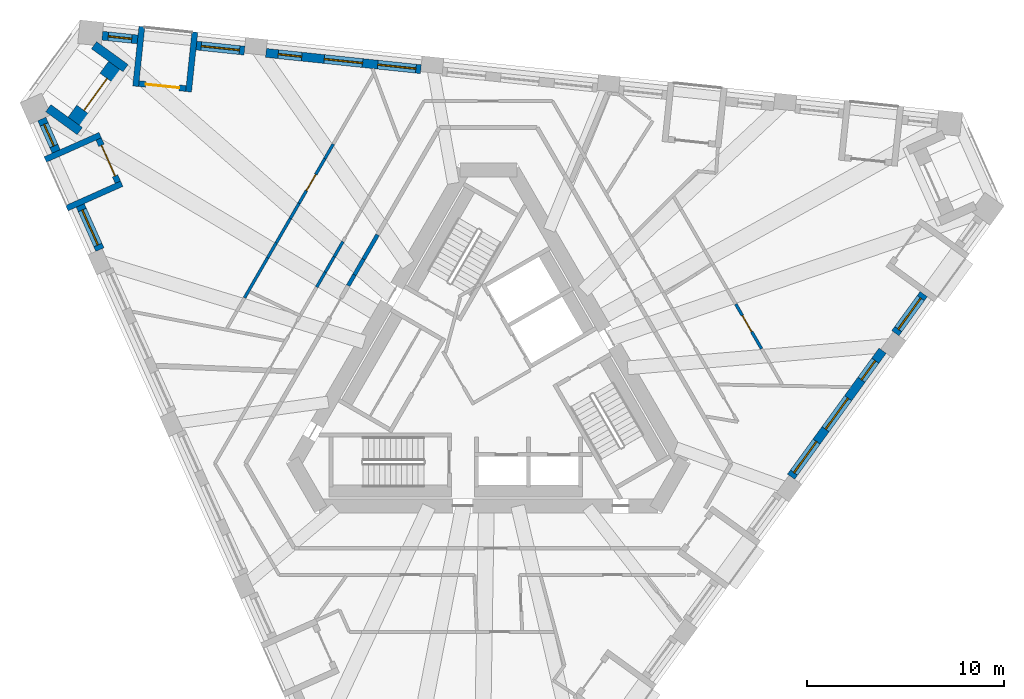
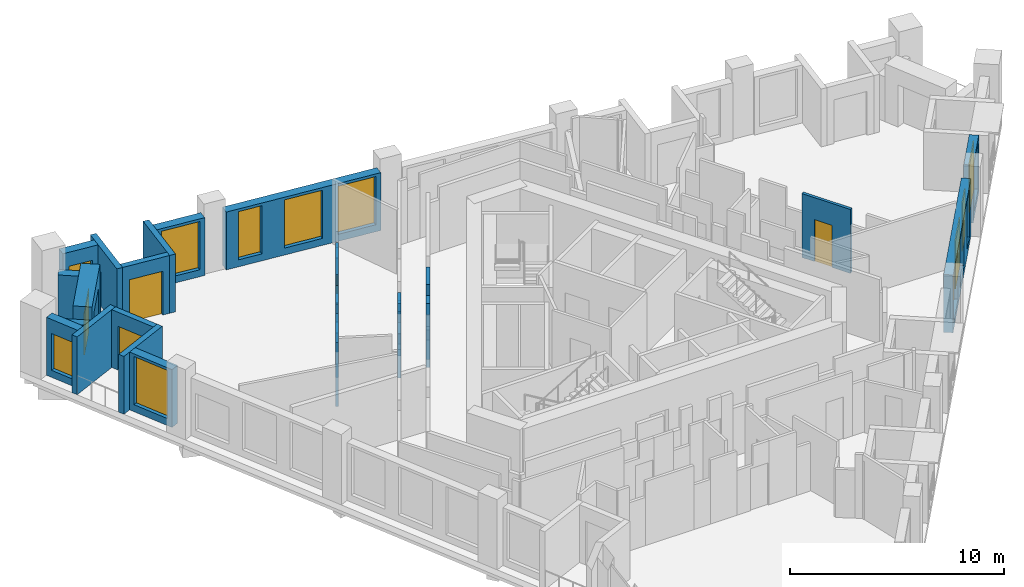
# One storey, part 6 of 11: 29 walls, 11 windows, 5 doors, 16 openings.
"""IFC4 building model written with IfcOpenShell, lengths in metres."""

from ifc_helpers import new_model, si_unit, direction, frame, frame_2d, origin, place, context, subcontext, project, spatial, rectangle, extrude, material, layer, layer_set, type_object, element, fill, save


model = new_model("IFC4")

# Units and contexts
model_context = context("Model", 3, precision=1e-05, world=origin(), true_north=direction((0.0, 1.0)))
body_context = subcontext(model_context, "Body", "Model", "MODEL_VIEW")
ifc_project = project(units=[si_unit("LENGTHUNIT", "METRE"), si_unit("AREAUNIT", "SQUARE_METRE"), si_unit("VOLUMEUNIT", "CUBIC_METRE"), si_unit("PLANEANGLEUNIT", "RADIAN"), si_unit("MASSUNIT", "GRAM", prefix="KILO")], contexts=[model_context])

# Site, building, storey
site_placement = place(None, origin())
site = spatial("IfcSite", under=ifc_project, at=site_placement, CompositionType="ELEMENT")
building_placement = place(site_placement, origin())
building = spatial("IfcBuilding", under=site, at=building_placement, Name="Tramontana Tower", CompositionType="ELEMENT")
storey_placement = place(building_placement, frame((0.0, 0.0, 265.199951171875)))
storey = spatial("IfcBuildingStorey", under=building, at=storey_placement, Name="L62", CompositionType="ELEMENT", Elevation=265.199951171875)

# Walls
ifc_material_1 = material(Name="Blockwork", Category="masonry")
ifc_layer_1 = layer(ifc_material_1, 0.199951171875)
ifc_layer_set_1 = layer_set([ifc_layer_1], Name="ENTRY WALL 200")
wall_type_1 = type_object("IfcWallType", Name="ENTRY WALL 200", PredefinedType="SOLIDWALL", material=ifc_layer_set_1)
wall_1_placement = place(storey_placement, frame((-7.11181640625, 4.78173828125, 0.0), z_axis=(0.0, 0.0, 1.0), x_axis=(0.499956208541, 0.866050685319, 0.0)))
element("IfcWall", 1, at=wall_1_placement, inside=storey, type_object=wall_type_1, Name="Wall v62-ew3-6", PredefinedType="SOLIDWALL", context=body_context, shape_type="SweptSolid", body=[
    extrude(rectangle(XDim=0.6328125, YDim=0.199951171875, at=frame_2d((0.31640625, 0.0))), origin(), (0.0, 0.0, 1.0), 3.650146484375),
])
wall_2_placement = place(storey_placement, frame((-6.79541015625, 5.329833984375, 0.0), z_axis=(0.0, 0.0, 1.0), x_axis=(0.499975954304, 0.866039286129, 0.0)))
element("IfcWall", 2, at=wall_2_placement, inside=storey, type_object=wall_type_1, Name="Wall v62-ew3-7", PredefinedType="SOLIDWALL", context=body_context, shape_type="SweptSolid", body=[
    extrude(rectangle(XDim=0.9169921875, YDim=0.199951171875, at=frame_2d((0.45849609375, 0.0))), origin(), (0.0, 0.0, 1.0), 2.550048828125),
])
wall_3_placement = place(storey_placement, frame((-6.3369140625, 6.1240234375, 0.0), z_axis=(0.0, 0.0, 1.0), x_axis=(0.499904796234, 0.866080362727, 0.0)))
element("IfcWall", 3, at=wall_3_placement, inside=storey, type_object=wall_type_1, Name="Wall v62-ew3-8", PredefinedType="SOLIDWALL", context=body_context, shape_type="SweptSolid", body=[
    extrude(rectangle(XDim=1.429443359375, YDim=0.199951171875, at=frame_2d((0.71484375, 0.0))), origin(), (0.0, 0.0, 1.0), 3.650146484375),
])

# Wall, opening, window
ifc_material_2 = material(Name="Precast concrete 60 MPa", Category="concrete")
ifc_layer_2 = layer(ifc_material_2, 0.449951171875)
ifc_layer_set_2 = layer_set([ifc_layer_2], Name="Precast concrete 60 MPa, 450 mm")
wall_type_2 = type_object("IfcWallType", Name="EW1 Stone-faced precast wall 450", PredefinedType="SOLIDWALL", material=ifc_layer_set_2)
wall_4_placement = place(storey_placement, frame((-22.67041015625, 13.240478515625, 0.0), z_axis=(0.0, 0.0, 1.0), x_axis=(0.406779346191, -0.913526443795, 0.0)))
wall_4 = element("IfcWall", 4, at=wall_4_placement, inside=storey, type_object=wall_type_2, Name="External wall L62 face 0 bay 1", PredefinedType="SOLIDWALL", context=body_context, shape_type="SweptSolid", body=[
    extrude(rectangle(XDim=1.80224609375, YDim=0.449951171875, at=frame_2d((0.901123046875, 0.0))), origin(), (0.0, 0.0, 1.0), 3.300048828125),
])
opening_1_placement = place(wall_4_placement, frame((0.301025390625, 0.0, 0.39990234375)))
opening_1 = element("IfcOpeningElement", 5, at=opening_1_placement, cuts=wall_4, Name="Opening N3L", PredefinedType="OPENING", context=body_context, shape_type="SweptSolid", body=[
    extrude(rectangle(XDim=1.199951171875, YDim=2.10009765625, at=frame_2d((0.60009765625, 1.050048828125))), frame((0.0, 0.23486328125, 0.0), z_axis=(0.0, -1.0, 0.0), x_axis=(1.0, 0.0, 0.0)), (0.0, 0.0, 1.0), 0.469970703125),
])
ifc_material_3 = material(Name="Aluminum frame, double glazing unit", Category="aluminium")
window_type_1 = type_object("IfcWindowType", Name="N3L Window 1.2 x 2.1", PartitioningType="SINGLE_PANEL", PredefinedType="WINDOW", material=ifc_material_3)
window_1_placement = place(opening_1_placement, origin())
window_1 = element("IfcWindow", 6, at=window_1_placement, inside=storey, type_object=window_type_1, Name="Window N3L L62 face 0 module 1", OverallHeight=2.10009765625, OverallWidth=1.199951171875, PartitioningType="SINGLE_PANEL", PredefinedType="WINDOW", context=body_context, shape_type="SweptSolid", body=[
    extrude(rectangle(XDim=1.199951171875, YDim=2.10009765625, at=frame_2d((0.60009765625, 1.050048828125))), frame((0.0, 0.030029296875, 0.0), z_axis=(0.0, -1.0, 0.0), x_axis=(1.0, 0.0, 0.0)), (0.0, 0.0, 1.0), 0.06005859375),
])
fill(opening_1, window_1)

wall_5_placement = place(storey_placement, frame((-20.71630859375, 8.851318359375, 0.0), z_axis=(0.0, 0.0, 1.0), x_axis=(0.406821962592, -0.913507466172, 0.0)))
wall_5 = element("IfcWall", 7, at=wall_5_placement, inside=storey, type_object=wall_type_2, Name="External wall L62 face 0 bay 1", PredefinedType="SOLIDWALL", context=body_context, shape_type="SweptSolid", body=[
    extrude(rectangle(XDim=2.4521484375, YDim=0.449951171875, at=frame_2d((1.22607421875, 0.0))), origin(), (0.0, 0.0, 1.0), 3.300048828125),
])
opening_2_placement = place(wall_5_placement, frame((0.251220703125, 0.0, 0.39990234375)))
opening_2 = element("IfcOpeningElement", 8, at=opening_2_placement, cuts=wall_5, Name="Opening M3", PredefinedType="OPENING", context=body_context, shape_type="SweptSolid", body=[
    extrude(rectangle(XDim=1.949951171875, YDim=2.75, at=frame_2d((0.97509765625, 1.375))), frame((0.0, 0.23486328125, 0.0), z_axis=(0.0, -1.0, 0.0), x_axis=(1.0, 0.0, 0.0)), (0.0, 0.0, 1.0), 0.469970703125),
])
ifc_material_4 = material(Name="Aluminum frame, double glazing unit", Category="aluminium")
window_type_2 = type_object("IfcWindowType", Name="M3 Window 1.95 x 2.75", PartitioningType="SINGLE_PANEL", PredefinedType="WINDOW", material=ifc_material_4)
window_2_placement = place(opening_2_placement, origin())
window_2 = element("IfcWindow", 9, at=window_2_placement, inside=storey, type_object=window_type_2, Name="Window M3 L62 face 0 module 3", OverallHeight=2.75, OverallWidth=1.949951171875, PartitioningType="SINGLE_PANEL", PredefinedType="WINDOW", context=body_context, shape_type="SweptSolid", body=[
    extrude(rectangle(XDim=1.949951171875, YDim=2.75, at=frame_2d((0.97509765625, 1.375))), frame((0.0, 0.030029296875, 0.0), z_axis=(0.0, -1.0, 0.0), x_axis=(1.0, 0.0, 0.0)), (0.0, 0.0, 1.0), 0.06005859375),
])
fill(opening_2, window_2)

# Wall, openings, windows
wall_6_placement = place(storey_placement, frame((15.368408203125, -4.919677734375, 0.0), z_axis=(0.0, 0.0, 1.0), x_axis=(0.587782407267, 0.809019061399, 0.0)))
wall_6 = element("IfcWall", 10, at=wall_6_placement, inside=storey, type_object=wall_type_2, Name="External wall L62 face 1 bay 4", PredefinedType="SOLIDWALL", context=body_context, shape_type="SweptSolid", body=[
    extrude(rectangle(XDim=7.90673828125, YDim=0.449951171875, at=frame_2d((3.953369140625, 0.0))), origin(), (0.0, 0.0, 1.0), 3.300048828125),
])
opening_3_placement = place(wall_6_placement, frame((0.251220703125, 0.0, 0.39990234375)))
opening_3 = element("IfcOpeningElement", 11, at=opening_3_placement, cuts=wall_6, Name="Opening M3", PredefinedType="OPENING", context=body_context, shape_type="SweptSolid", body=[
    extrude(rectangle(XDim=1.949951171875, YDim=2.75, at=frame_2d((0.97509765625, 1.375))), frame((0.0, 0.23486328125, 0.0), z_axis=(0.0, -1.0, 0.0), x_axis=(1.0, 0.0, 0.0)), (0.0, 0.0, 1.0), 0.469970703125),
])
opening_4_placement = place(wall_6_placement, frame((2.978271484375, 0.0, 0.39990234375)))
opening_4 = element("IfcOpeningElement", 12, at=opening_4_placement, cuts=wall_6, Name="Opening M3", PredefinedType="OPENING", context=body_context, shape_type="SweptSolid", body=[
    extrude(rectangle(XDim=1.949951171875, YDim=2.75, at=frame_2d((0.97509765625, 1.375))), frame((0.0, 0.23486328125, 0.0), z_axis=(0.0, -1.0, 0.0), x_axis=(1.0, 0.0, 0.0)), (0.0, 0.0, 1.0), 0.469970703125),
])
opening_5_placement = place(wall_6_placement, frame((6.08056640625, 0.0, 0.39990234375)))
opening_5 = element("IfcOpeningElement", 13, at=opening_5_placement, cuts=wall_6, Name="Opening N3", PredefinedType="OPENING", context=body_context, shape_type="SweptSolid", body=[
    extrude(rectangle(XDim=1.199951171875, YDim=2.75, at=frame_2d((0.60009765625, 1.375))), frame((0.0, 0.23486328125, 0.0), z_axis=(0.0, -1.0, 0.0), x_axis=(1.0, 0.0, 0.0)), (0.0, 0.0, 1.0), 0.469970703125),
])
window_3_placement = place(opening_3_placement, origin())
window_3 = element("IfcWindow", 14, at=window_3_placement, inside=storey, type_object=window_type_2, Name="Window M3 L62 face 1 module 10", OverallHeight=2.75, OverallWidth=1.949951171875, PartitioningType="SINGLE_PANEL", PredefinedType="WINDOW", context=body_context, shape_type="SweptSolid", body=[
    extrude(rectangle(XDim=1.949951171875, YDim=2.75, at=frame_2d((0.97509765625, 1.375))), frame((0.0, 0.030029296875, 0.0), z_axis=(0.0, -1.0, 0.0), x_axis=(1.0, 0.0, 0.0)), (0.0, 0.0, 1.0), 0.06005859375),
])
fill(opening_3, window_3)
window_4_placement = place(opening_4_placement, origin())
window_4 = element("IfcWindow", 15, at=window_4_placement, inside=storey, type_object=window_type_2, Name="Window M3 L62 face 1 module 11", OverallHeight=2.75, OverallWidth=1.949951171875, PartitioningType="SINGLE_PANEL", PredefinedType="WINDOW", context=body_context, shape_type="SweptSolid", body=[
    extrude(rectangle(XDim=1.949951171875, YDim=2.75, at=frame_2d((0.97509765625, 1.375))), frame((0.0, 0.030029296875, 0.0), z_axis=(0.0, -1.0, 0.0), x_axis=(1.0, 0.0, 0.0)), (0.0, 0.0, 1.0), 0.06005859375),
])
fill(opening_4, window_4)
ifc_material_5 = material(Name="Aluminum frame, double glazing unit", Category="aluminium")
window_type_3 = type_object("IfcWindowType", Name="N3 Window 1.2 x 2.75", PartitioningType="SINGLE_PANEL", PredefinedType="WINDOW", material=ifc_material_5)
window_5_placement = place(opening_5_placement, origin())
window_5 = element("IfcWindow", 16, at=window_5_placement, inside=storey, type_object=window_type_3, Name="Window N3 L62 face 1 module 12", OverallHeight=2.75, OverallWidth=1.199951171875, PartitioningType="SINGLE_PANEL", PredefinedType="WINDOW", context=body_context, shape_type="SweptSolid", body=[
    extrude(rectangle(XDim=1.199951171875, YDim=2.75, at=frame_2d((0.60009765625, 1.375))), frame((0.0, 0.030029296875, 0.0), z_axis=(0.0, -1.0, 0.0), x_axis=(1.0, 0.0, 0.0)), (0.0, 0.0, 1.0), 0.06005859375),
])
fill(opening_5, window_5)

# Wall, opening, window
wall_7_placement = place(storey_placement, frame((20.662353515625, 2.366943359375, 0.0), z_axis=(0.0, 0.0, 1.0), x_axis=(0.587792773076, 0.809011530152, 0.0)))
wall_7 = element("IfcWall", 17, at=wall_7_placement, inside=storey, type_object=wall_type_2, Name="External wall L62 face 1 bay 5", PredefinedType="SOLIDWALL", context=body_context, shape_type="SweptSolid", body=[
    extrude(rectangle(XDim=2.4521484375, YDim=0.449951171875, at=frame_2d((1.22607421875, 0.0))), origin(), (0.0, 0.0, 1.0), 3.300048828125),
])
opening_6_placement = place(wall_7_placement, frame((0.251220703125, 0.0, 0.39990234375)))
opening_6 = element("IfcOpeningElement", 18, at=opening_6_placement, cuts=wall_7, Name="Opening M3", PredefinedType="OPENING", context=body_context, shape_type="SweptSolid", body=[
    extrude(rectangle(XDim=1.949951171875, YDim=2.75, at=frame_2d((0.97509765625, 1.375))), frame((0.0, 0.23486328125, 0.0), z_axis=(0.0, -1.0, 0.0), x_axis=(1.0, 0.0, 0.0)), (0.0, 0.0, 1.0), 0.469970703125),
])
window_6_placement = place(opening_6_placement, origin())
window_6 = element("IfcWindow", 19, at=window_6_placement, inside=storey, type_object=window_type_2, Name="Window M3 L62 face 1 module 13", OverallHeight=2.75, OverallWidth=1.949951171875, PartitioningType="SINGLE_PANEL", PredefinedType="WINDOW", context=body_context, shape_type="SweptSolid", body=[
    extrude(rectangle(XDim=1.949951171875, YDim=2.75, at=frame_2d((0.97509765625, 1.375))), frame((0.0, 0.030029296875, 0.0), z_axis=(0.0, -1.0, 0.0), x_axis=(1.0, 0.0, 0.0)), (0.0, 0.0, 1.0), 0.06005859375),
])
fill(opening_6, window_6)

# Wall, openings, windows
wall_8_placement = place(storey_placement, frame((-3.423828125, 15.769287109375, 0.0), z_axis=(0.0, 0.0, 1.0), x_axis=(-0.994522528385, 0.104522440343, 0.0)))
wall_8 = element("IfcWall", 20, at=wall_8_placement, inside=storey, type_object=wall_type_2, Name="External wall L62 face 2 bay 4", PredefinedType="SOLIDWALL", context=body_context, shape_type="SweptSolid", body=[
    extrude(rectangle(XDim=7.906494140625, YDim=0.449951171875, at=frame_2d((3.953125, 0.0))), origin(), (0.0, 0.0, 1.0), 3.300048828125),
])
opening_7_placement = place(wall_8_placement, frame((0.251220703125, 0.0, 0.39990234375)))
opening_7 = element("IfcOpeningElement", 21, at=opening_7_placement, cuts=wall_8, Name="Opening M3", PredefinedType="OPENING", context=body_context, shape_type="SweptSolid", body=[
    extrude(rectangle(XDim=1.949951171875, YDim=2.75, at=frame_2d((0.97509765625, 1.375))), frame((0.0, 0.23486328125, 0.0), z_axis=(0.0, -1.0, 0.0), x_axis=(1.0, 0.0, 0.0)), (0.0, 0.0, 1.0), 0.469970703125),
])
opening_8_placement = place(wall_8_placement, frame((2.978271484375, 0.0, 0.39990234375)))
opening_8 = element("IfcOpeningElement", 22, at=opening_8_placement, cuts=wall_8, Name="Opening M3", PredefinedType="OPENING", context=body_context, shape_type="SweptSolid", body=[
    extrude(rectangle(XDim=1.949951171875, YDim=2.75, at=frame_2d((0.97509765625, 1.375))), frame((0.0, 0.23486328125, 0.0), z_axis=(0.0, -1.0, 0.0), x_axis=(1.0, 0.0, 0.0)), (0.0, 0.0, 1.0), 0.469970703125),
])
opening_9_placement = place(wall_8_placement, frame((6.08056640625, 0.0, 0.39990234375)))
opening_9 = element("IfcOpeningElement", 23, at=opening_9_placement, cuts=wall_8, Name="Opening N3", PredefinedType="OPENING", context=body_context, shape_type="SweptSolid", body=[
    extrude(rectangle(XDim=1.199951171875, YDim=2.75, at=frame_2d((0.60009765625, 1.375))), frame((0.0, 0.23486328125, 0.0), z_axis=(0.0, -1.0, 0.0), x_axis=(1.0, 0.0, 0.0)), (0.0, 0.0, 1.0), 0.469970703125),
])
window_7_placement = place(opening_7_placement, origin())
window_7 = element("IfcWindow", 24, at=window_7_placement, inside=storey, type_object=window_type_2, Name="Window M3 L62 face 2 module 10", OverallHeight=2.75, OverallWidth=1.949951171875, PartitioningType="SINGLE_PANEL", PredefinedType="WINDOW", context=body_context, shape_type="SweptSolid", body=[
    extrude(rectangle(XDim=1.949951171875, YDim=2.75, at=frame_2d((0.97509765625, 1.375))), frame((0.0, 0.030029296875, 0.0), z_axis=(0.0, -1.0, 0.0), x_axis=(1.0, 0.0, 0.0)), (0.0, 0.0, 1.0), 0.06005859375),
])
fill(opening_7, window_7)
window_8_placement = place(opening_8_placement, origin())
window_8 = element("IfcWindow", 25, at=window_8_placement, inside=storey, type_object=window_type_2, Name="Window M3 L62 face 2 module 11", OverallHeight=2.75, OverallWidth=1.949951171875, PartitioningType="SINGLE_PANEL", PredefinedType="WINDOW", context=body_context, shape_type="SweptSolid", body=[
    extrude(rectangle(XDim=1.949951171875, YDim=2.75, at=frame_2d((0.97509765625, 1.375))), frame((0.0, 0.030029296875, 0.0), z_axis=(0.0, -1.0, 0.0), x_axis=(1.0, 0.0, 0.0)), (0.0, 0.0, 1.0), 0.06005859375),
])
fill(opening_8, window_8)
window_9_placement = place(opening_9_placement, origin())
window_9 = element("IfcWindow", 26, at=window_9_placement, inside=storey, type_object=window_type_3, Name="Window N3 L62 face 2 module 12", OverallHeight=2.75, OverallWidth=1.199951171875, PartitioningType="SINGLE_PANEL", PredefinedType="WINDOW", context=body_context, shape_type="SweptSolid", body=[
    extrude(rectangle(XDim=1.199951171875, YDim=2.75, at=frame_2d((0.60009765625, 1.375))), frame((0.0, 0.030029296875, 0.0), z_axis=(0.0, -1.0, 0.0), x_axis=(1.0, 0.0, 0.0)), (0.0, 0.0, 1.0), 0.06005859375),
])
fill(opening_9, window_9)

# Wall, opening, window
wall_9_placement = place(storey_placement, frame((-12.381103515625, 16.710693359375, 0.0), z_axis=(0.0, 0.0, 1.0), x_axis=(-0.994520717537, 0.104539668977, 0.0)))
wall_9 = element("IfcWall", 27, at=wall_9_placement, inside=storey, type_object=wall_type_2, Name="External wall L62 face 2 bay 5", PredefinedType="SOLIDWALL", context=body_context, shape_type="SweptSolid", body=[
    extrude(rectangle(XDim=2.4521484375, YDim=0.449951171875, at=frame_2d((1.22607421875, 0.0))), origin(), (0.0, 0.0, 1.0), 3.300048828125),
])
opening_10_placement = place(wall_9_placement, frame((0.251220703125, 0.0, 0.39990234375)))
opening_10 = element("IfcOpeningElement", 28, at=opening_10_placement, cuts=wall_9, Name="Opening M3", PredefinedType="OPENING", context=body_context, shape_type="SweptSolid", body=[
    extrude(rectangle(XDim=1.949951171875, YDim=2.75, at=frame_2d((0.97509765625, 1.375))), frame((0.0, 0.23486328125, 0.0), z_axis=(0.0, -1.0, 0.0), x_axis=(1.0, 0.0, 0.0)), (0.0, 0.0, 1.0), 0.469970703125),
])
window_10_placement = place(opening_10_placement, origin())
window_10 = element("IfcWindow", 29, at=window_10_placement, inside=storey, type_object=window_type_2, Name="Window M3 L62 face 2 module 13", OverallHeight=2.75, OverallWidth=1.949951171875, PartitioningType="SINGLE_PANEL", PredefinedType="WINDOW", context=body_context, shape_type="SweptSolid", body=[
    extrude(rectangle(XDim=1.949951171875, YDim=2.75, at=frame_2d((0.97509765625, 1.375))), frame((0.0, 0.030029296875, 0.0), z_axis=(0.0, -1.0, 0.0), x_axis=(1.0, 0.0, 0.0)), (0.0, 0.0, 1.0), 0.06005859375),
])
fill(opening_10, window_10)

wall_10_placement = place(storey_placement, frame((-17.8056640625, 17.28076171875, 0.0), z_axis=(0.0, 0.0, 1.0), x_axis=(-0.994515840559, 0.104586054885, 0.0)))
wall_10 = element("IfcWall", 30, at=wall_10_placement, inside=storey, type_object=wall_type_2, Name="External wall L62 face 2 bay 5", PredefinedType="SOLIDWALL", context=body_context, shape_type="SweptSolid", body=[
    extrude(rectangle(XDim=1.802001953125, YDim=0.449951171875, at=frame_2d((0.90087890625, 0.0))), origin(), (0.0, 0.0, 1.0), 3.300048828125),
])
opening_11_placement = place(wall_10_placement, frame((0.301025390625, 0.0, 0.39990234375)))
opening_11 = element("IfcOpeningElement", 31, at=opening_11_placement, cuts=wall_10, Name="Opening N3L", PredefinedType="OPENING", context=body_context, shape_type="SweptSolid", body=[
    extrude(rectangle(XDim=1.199951171875, YDim=2.10009765625, at=frame_2d((0.60009765625, 1.050048828125))), frame((0.0, 0.23486328125, 0.0), z_axis=(0.0, -1.0, 0.0), x_axis=(1.0, 0.0, 0.0)), (0.0, 0.0, 1.0), 0.469970703125),
])
window_11_placement = place(opening_11_placement, origin())
window_11 = element("IfcWindow", 32, at=window_11_placement, inside=storey, type_object=window_type_1, Name="Window N3L L62 face 2 module 15", OverallHeight=2.10009765625, OverallWidth=1.199951171875, PartitioningType="SINGLE_PANEL", PredefinedType="WINDOW", context=body_context, shape_type="SweptSolid", body=[
    extrude(rectangle(XDim=1.199951171875, YDim=2.10009765625, at=frame_2d((0.60009765625, 1.050048828125))), frame((0.0, 0.030029296875, 0.0), z_axis=(0.0, -1.0, 0.0), x_axis=(1.0, 0.0, 0.0)), (0.0, 0.0, 1.0), 0.06005859375),
])
fill(opening_11, window_11)

# Walls
for number, where, z_axis, x_axis, name in (
    (33, (-22.34033203125, 13.7900390625, 0.0), (0.0, 0.0, 1.0), (0.809040012586, -0.587753569138, 0.0), "Corner loggia side wall L62 K60l"),
    (34, (-20.0185546875, 16.985595703125, 0.0), (0.0, 0.0, 1.0), (0.809040012586, -0.587753569138, 0.0), "Corner loggia side wall L62 K60r"),
):
    element("IfcWall", number, at=place(storey_placement, frame(where, z_axis=z_axis, x_axis=x_axis)), inside=storey, type_object=wall_type_2, Name=name, PredefinedType="SOLIDWALL", context=body_context, shape_type="SweptSolid", body=[
        extrude(rectangle(XDim=1.979248046875, YDim=0.449951171875, at=frame_2d((0.98974609375, 0.0))), origin(), (0.0, 0.0, 1.0), 2.550048828125),
    ])

# Wall, opening, door
ifc_material_6 = material(Name="Precast concrete 60 MPa", Category="concrete")
ifc_layer_3 = layer(ifc_material_6, 0.89990234375)
ifc_layer_set_3 = layer_set([ifc_layer_3], Name="EW2 Stone-faced corner loggia wall 900")
wall_type_3 = type_object("IfcWallType", Name="EW2 Stone-faced corner loggia wall 900", PredefinedType="SOLIDWALL", material=ifc_layer_set_3)
wall_11_placement = place(storey_placement, frame((-20.970947265625, 13.0732421875, 0.0), z_axis=(0.0, 0.0, 1.0), x_axis=(0.587810807352, 0.808998426921, 0.0)))
wall_11 = element("IfcWall", 35, at=wall_11_placement, inside=storey, type_object=wall_type_3, Name="Corner loggia wall L62 K60", PredefinedType="SOLIDWALL", context=body_context, shape_type="SweptSolid", body=[
    extrude(rectangle(XDim=3.5, YDim=0.89990234375, at=frame_2d((1.75, 0.0))), origin(), (0.0, 0.0, 1.0), 3.300048828125),
])
opening_12_placement = place(wall_11_placement, frame((0.75, 0.0, 0.0)))
opening_12 = element("IfcOpeningElement", 36, at=opening_12_placement, cuts=wall_11, Name="Opening BD-60C", PredefinedType="OPENING", context=body_context, shape_type="SweptSolid", body=[
    extrude(rectangle(XDim=2.0, YDim=2.39990234375, at=frame_2d((1.0, 1.199951171875))), frame((0.0, 0.4599609375, 0.0), z_axis=(0.0, -1.0, 0.0), x_axis=(1.0, 0.0, 0.0)), (0.0, 0.0, 1.0), 0.919921875),
])
ifc_material_7 = material(Name="Aluminum frame, double glazing unit", Category="aluminium")
door_type_1 = type_object("IfcDoorType", Name="BC1 Sliding door 2 x 2.4", OperationType="SLIDING_TO_LEFT", PredefinedType="DOOR", material=ifc_material_7)
door_1_placement = place(opening_12_placement, origin())
door_1 = element("IfcDoor", 37, at=door_1_placement, inside=storey, type_object=door_type_1, Name="Corner loggia door L62 K60", OperationType="SLIDING_TO_LEFT", OverallHeight=2.39990234375, OverallWidth=2.0, PredefinedType="DOOR", context=body_context, shape_type="SweptSolid", body=[
    extrude(rectangle(XDim=2.0, YDim=2.39990234375, at=frame_2d((1.0, 1.199951171875))), frame((0.0, 0.02490234375, 0.0), z_axis=(0.0, -1.0, 0.0), x_axis=(1.0, 0.0, 0.0)), (0.0, 0.0, 1.0), 0.050048828125),
])
fill(opening_12, door_1)

ifc_material_8 = material(Name="Precast concrete 60 MPa", Category="concrete")
ifc_layer_4 = layer(ifc_material_8, 0.300048828125)
ifc_layer_set_4 = layer_set([ifc_layer_4], Name="LW1 Stone-faced loggia wall 300")
wall_type_4 = type_object("IfcWallType", Name="LW1 Stone-faced loggia wall 300", PredefinedType="SOLIDWALL", material=ifc_layer_set_4)
wall_12_placement = place(storey_placement, frame((-19.78271484375, 12.22509765625, 0.0), z_axis=(0.0, 0.0, 1.0), x_axis=(0.406723017018, -0.913551524232, 0.0)))
wall_12 = element("IfcWall", 38, at=wall_12_placement, inside=storey, type_object=wall_type_4, Name="Loggia wall L62 G6S0.1", PredefinedType="SOLIDWALL", context=body_context, shape_type="SweptSolid", body=[
    extrude(rectangle(XDim=2.40234375, YDim=0.300048828125, at=frame_2d((1.201171875, 0.0))), origin(), (0.0, 0.0, 1.0), 3.300048828125),
])
opening_13_placement = place(wall_12_placement, frame((0.35107421875, 0.0, 0.0)))
opening_13 = element("IfcOpeningElement", 39, at=opening_13_placement, cuts=wall_12, Name="Opening BD-6S0-01", PredefinedType="OPENING", context=body_context, shape_type="SweptSolid", body=[
    extrude(rectangle(XDim=1.699951171875, YDim=2.5, at=frame_2d((0.85009765625, 1.25))), frame((0.0, 0.159912109375, 0.0), z_axis=(0.0, -1.0, 0.0), x_axis=(1.0, 0.0, 0.0)), (0.0, 0.0, 1.0), 0.320068359375),
])
ifc_material_9 = material(Name="Aluminum frame, double glazing unit", Category="aluminium")
door_type_2 = type_object("IfcDoorType", Name="BD3 Sliding door 1.7 x 2.5", OperationType="SLIDING_TO_LEFT", PredefinedType="DOOR", material=ifc_material_9)
door_2_placement = place(opening_13_placement, origin())
door_2 = element("IfcDoor", 40, at=door_2_placement, inside=storey, type_object=door_type_2, Name="Loggia door L62 G6S0.1", OperationType="SLIDING_TO_LEFT", OverallHeight=2.5, OverallWidth=1.699951171875, PredefinedType="DOOR", context=body_context, shape_type="SweptSolid", body=[
    extrude(rectangle(XDim=1.699951171875, YDim=2.5, at=frame_2d((0.85009765625, 1.25))), frame((0.0, 0.02490234375, 0.0), z_axis=(0.0, -1.0, 0.0), x_axis=(1.0, 0.0, 0.0)), (0.0, 0.0, 1.0), 0.050048828125),
])
fill(opening_13, door_2)

# Walls
wall_13_placement = place(storey_placement, frame((-22.492919921875, 11.1826171875, 0.0), z_axis=(0.0, 0.0, 1.0), x_axis=(0.913557205168, 0.406710256677, 0.0)))
element("IfcWall", 41, at=wall_13_placement, inside=storey, type_object=wall_type_4, Name="Loggia return L62 G6S0.1a", PredefinedType="SOLIDWALL", context=body_context, shape_type="SweptSolid", body=[
    extrude(rectangle(XDim=3.050048828125, YDim=0.300048828125, at=frame_2d((1.52490234375, 0.0))), origin(), (0.0, 0.0, 1.0), 3.300048828125),
])
wall_14_placement = place(storey_placement, frame((-21.393798828125, 8.7138671875, 0.0), z_axis=(0.0, 0.0, 1.0), x_axis=(0.91354396316, 0.406739999721, 0.0)))
element("IfcWall", 42, at=wall_14_placement, inside=storey, type_object=wall_type_4, Name="Loggia return L62 G6S0.1b", PredefinedType="SOLIDWALL", context=body_context, shape_type="SweptSolid", body=[
    extrude(rectangle(XDim=3.0498046875, YDim=0.300048828125, at=frame_2d((1.52490234375, 0.0))), origin(), (0.0, 0.0, 1.0), 3.300048828125),
])

# Wall, opening, door
wall_15_placement = place(storey_placement, frame((-15.350830078125, 14.78564453125, 0.0), z_axis=(0.0, 0.0, 1.0), x_axis=(-0.994526595554, 0.104483734311, 0.0)))
wall_15 = element("IfcWall", 43, at=wall_15_placement, inside=storey, type_object=wall_type_4, Name="Loggia wall L62 G6S2.13", PredefinedType="SOLIDWALL", context=body_context, shape_type="SweptSolid", body=[
    extrude(rectangle(XDim=2.402099609375, YDim=0.300048828125, at=frame_2d((1.201171875, 0.0))), origin(), (0.0, 0.0, 1.0), 3.300048828125),
])
opening_14_placement = place(wall_15_placement, frame((0.35107421875, 0.0, 0.0)))
opening_14 = element("IfcOpeningElement", 44, at=opening_14_placement, cuts=wall_15, Name="Opening BD-6S2-13", PredefinedType="OPENING", context=body_context, shape_type="SweptSolid", body=[
    extrude(rectangle(XDim=1.699951171875, YDim=2.5, at=frame_2d((0.85009765625, 1.25))), frame((0.0, 0.159912109375, 0.0), z_axis=(0.0, -1.0, 0.0), x_axis=(1.0, 0.0, 0.0)), (0.0, 0.0, 1.0), 0.320068359375),
])
door_3_placement = place(opening_14_placement, origin())
door_3 = element("IfcDoor", 45, at=door_3_placement, inside=storey, type_object=door_type_2, Name="Loggia door L62 G6S2.13", OperationType="SLIDING_TO_LEFT", OverallHeight=2.5, OverallWidth=1.699951171875, PredefinedType="DOOR", context=body_context, shape_type="SweptSolid", body=[
    extrude(rectangle(XDim=1.699951171875, YDim=2.5, at=frame_2d((0.85009765625, 1.25))), frame((0.0, 0.02490234375, 0.0), z_axis=(0.0, -1.0, 0.0), x_axis=(1.0, 0.0, 0.0)), (0.0, 0.0, 1.0), 0.050048828125),
])
fill(opening_14, door_3)

# Walls
wall_16_placement = place(storey_placement, frame((-14.8984375, 17.654052734375, 0.0), z_axis=(0.0, 0.0, 1.0), x_axis=(-0.104543108891, -0.994520355942, 0.0)))
element("IfcWall", 46, at=wall_16_placement, inside=storey, type_object=wall_type_4, Name="Loggia return L62 G6S2.13a", PredefinedType="SOLIDWALL", context=body_context, shape_type="SweptSolid", body=[
    extrude(rectangle(XDim=3.0498046875, YDim=0.300048828125, at=frame_2d((1.52490234375, 0.0))), origin(), (0.0, 0.0, 1.0), 3.300048828125),
])
wall_17_placement = place(storey_placement, frame((-17.5859375, 17.9365234375, 0.0), z_axis=(0.0, 0.0, 1.0), x_axis=(-0.104534786906, -0.994521230707, 0.0)))
element("IfcWall", 47, at=wall_17_placement, inside=storey, type_object=wall_type_4, Name="Loggia return L62 G6S2.13b", PredefinedType="SOLIDWALL", context=body_context, shape_type="SweptSolid", body=[
    extrude(rectangle(XDim=3.050048828125, YDim=0.300048828125, at=frame_2d((1.52490234375, 0.0))), origin(), (0.0, 0.0, 1.0), 3.300048828125),
])
ifc_material_10 = material(Name="Gypsum board partition")
ifc_layer_5 = layer(ifc_material_10, 0.14990234375)
ifc_layer_set_5 = layer_set([ifc_layer_5], Name="PARTITION 150")
wall_type_5 = type_object("IfcWallType", Name="PARTITION 150", PredefinedType="PARTITIONING", material=ifc_layer_set_5)
wall_18_placement = place(storey_placement, frame((-8.714111328125, 4.70654296875, 0.0), z_axis=(0.0, 0.0, 1.0), x_axis=(0.499859285417, 0.866106630146, 0.0)))
element("IfcWall", 48, at=wall_18_placement, inside=storey, type_object=wall_type_5, Name="Wall v62-pw00-5", PredefinedType="PARTITIONING", context=body_context, shape_type="SweptSolid", body=[
    extrude(rectangle(XDim=0.875244140625, YDim=0.14990234375, at=frame_2d((0.4375, 0.0))), origin(), (0.0, 0.0, 1.0), 2.550048828125),
])
wall_19_placement = place(storey_placement, frame((-8.276611328125, 5.464599609375, 0.0), z_axis=(0.0, 0.0, 1.0), x_axis=(0.50004290449, 0.866000631449, 0.0)))
element("IfcWall", 49, at=wall_19_placement, inside=storey, type_object=wall_type_5, Name="Wall v62-pw00-6", PredefinedType="PARTITIONING", context=body_context, shape_type="SweptSolid", body=[
    extrude(rectangle(XDim=0.9013671875, YDim=0.14990234375, at=frame_2d((0.45068359375, 0.0))), origin(), (0.0, 0.0, 1.0), 3.650146484375),
])
wall_20_placement = place(storey_placement, frame((-7.825927734375, 6.2451171875, 0.0), z_axis=(0.0, 0.0, 1.0), x_axis=(0.499967368674, 0.86604424267, 0.0)))
element("IfcWall", 50, at=wall_20_placement, inside=storey, type_object=wall_type_5, Name="Wall v62-pw00-7", PredefinedType="PARTITIONING", context=body_context, shape_type="SweptSolid", body=[
    extrude(rectangle(XDim=0.8916015625, YDim=0.14990234375, at=frame_2d((0.44580078125, 0.0))), origin(), (0.0, 0.0, 1.0), 2.550048828125),
])
wall_21_placement = place(storey_placement, frame((-12.376220703125, 4.16357421875, 0.0), z_axis=(0.0, 0.0, 1.0), x_axis=(0.499998569178, 0.866026229868, 0.0)))
element("IfcWall", 51, at=wall_21_placement, inside=storey, type_object=wall_type_5, Name="Wall v62-pw01-2", PredefinedType="PARTITIONING", context=body_context, shape_type="SweptSolid", body=[
    extrude(rectangle(XDim=2.34716796875, YDim=0.14990234375, at=frame_2d((1.173583984375, 0.0))), origin(), (0.0, 0.0, 1.0), 3.650146484375),
])
wall_22_placement = place(storey_placement, frame((-11.20263671875, 6.1962890625, 0.0), z_axis=(0.0, 0.0, 1.0), x_axis=(0.499980071345, 0.866036909293, 0.0)))
element("IfcWall", 52, at=wall_22_placement, inside=storey, type_object=wall_type_5, Name="Wall v62-pw01-3", PredefinedType="PARTITIONING", context=body_context, shape_type="SweptSolid", body=[
    extrude(rectangle(XDim=0.875, YDim=0.14990234375, at=frame_2d((0.4375, 0.0))), origin(), (0.0, 0.0, 1.0), 2.550048828125),
])
wall_23_placement = place(storey_placement, frame((-10.76513671875, 6.9541015625, 0.0), z_axis=(0.0, 0.0, 1.0), x_axis=(0.500029111807, 0.866008595423, 0.0)))
element("IfcWall", 53, at=wall_23_placement, inside=storey, type_object=wall_type_5, Name="Wall v62-pw01-4", PredefinedType="PARTITIONING", context=body_context, shape_type="SweptSolid", body=[
    extrude(rectangle(XDim=1.42431640625, YDim=0.14990234375, at=frame_2d((0.712158203125, 0.0))), origin(), (0.0, 0.0, 1.0), 3.650146484375),
])
wall_24_placement = place(storey_placement, frame((-10.052978515625, 8.1875, 0.0), z_axis=(0.0, 0.0, 1.0), x_axis=(0.499967368674, 0.86604424267, 0.0)))
element("IfcWall", 54, at=wall_24_placement, inside=storey, type_object=wall_type_5, Name="Wall v62-pw01-5", PredefinedType="PARTITIONING", context=body_context, shape_type="SweptSolid", body=[
    extrude(rectangle(XDim=0.8916015625, YDim=0.14990234375, at=frame_2d((0.44580078125, 0.0))), origin(), (0.0, 0.0, 1.0), 2.550048828125),
])

# Wall, opening, door
wall_25_placement = place(storey_placement, frame((-9.607177734375, 8.959716796875, 0.0), z_axis=(0.0, 0.0, 1.0), x_axis=(0.49994612994, 0.866056503444, 0.0)))
wall_25 = element("IfcWall", 55, at=wall_25_placement, inside=storey, type_object=wall_type_5, Name="Wall v62-pw01-6", PredefinedType="PARTITIONING", context=body_context, shape_type="SweptSolid", body=[
    extrude(rectangle(XDim=2.614013671875, YDim=0.14990234375, at=frame_2d((1.30712890625, 0.0))), origin(), (0.0, 0.0, 1.0), 3.650146484375),
])
opening_15_placement = place(wall_25_placement, frame((0.73876953125, 0.0, 0.0)))
opening_15 = element("IfcOpeningElement", 56, at=opening_15_placement, cuts=wall_25, Name="Opening B6C-16", PredefinedType="OPENING", context=body_context, shape_type="SweptSolid", body=[
    extrude(rectangle(XDim=0.949951171875, YDim=2.39990234375, at=frame_2d((0.47509765625, 1.199951171875))), frame((0.0, 0.0849609375, 0.0), z_axis=(0.0, -1.0, 0.0), x_axis=(1.0, 0.0, 0.0)), (0.0, 0.0, 1.0), 0.169921875),
])
ifc_material_11 = material(Name="Painted timber", Category="wood")
door_type_3 = type_object("IfcDoorType", Name="DOOR ROOM 950", OperationType="SINGLE_SWING_LEFT", PredefinedType="DOOR", material=ifc_material_11)
door_4_placement = place(opening_15_placement, origin())
door_4 = element("IfcDoor", 57, at=door_4_placement, inside=storey, type_object=door_type_3, Name="Door B6C-16", OperationType="SINGLE_SWING_RIGHT", OverallHeight=2.39990234375, OverallWidth=0.949951171875, PredefinedType="DOOR", context=body_context, shape_type="SweptSolid", body=[
    extrude(rectangle(XDim=0.949951171875, YDim=2.39990234375, at=frame_2d((0.47509765625, 1.199951171875))), frame((0.0, 0.02490234375, 0.0), z_axis=(0.0, -1.0, 0.0), x_axis=(1.0, 0.0, 0.0)), (0.0, 0.0, 1.0), 0.050048828125),
])
fill(opening_15, door_4)

# Wall
wall_26_placement = place(storey_placement, frame((-8.30029296875, 11.2236328125, 0.0), z_axis=(0.0, 0.0, 1.0), x_axis=(0.500035209441, 0.86600507465, 0.0)))
element("IfcWall", 58, at=wall_26_placement, inside=storey, type_object=wall_type_5, Name="Wall v62-pw01-7", PredefinedType="PARTITIONING", context=body_context, shape_type="SweptSolid", body=[
    extrude(rectangle(XDim=0.85595703125, YDim=0.14990234375, at=frame_2d((0.427978515625, 0.0))), origin(), (0.0, 0.0, 1.0), 2.75),
])

# Wall, opening, door
wall_27_placement = place(storey_placement, frame((12.56298828125, 3.84033203125, 0.0), z_axis=(0.0, 0.0, 1.0), x_axis=(0.500016176693, -0.866016063965, 0.0)))
wall_27 = element("IfcWall", 59, at=wall_27_placement, inside=storey, type_object=wall_type_5, Name="Wall v62-pw27-5", PredefinedType="PARTITIONING", context=body_context, shape_type="SweptSolid", body=[
    extrude(rectangle(XDim=2.6142578125, YDim=0.14990234375, at=frame_2d((1.30712890625, 0.0))), origin(), (0.0, 0.0, 1.0), 3.650146484375),
])
opening_16_placement = place(wall_27_placement, frame((0.6669921875, 0.0, 0.0)))
opening_16 = element("IfcOpeningElement", 60, at=opening_16_placement, cuts=wall_27, Name="Opening B6C-17", PredefinedType="OPENING", context=body_context, shape_type="SweptSolid", body=[
    extrude(rectangle(XDim=0.949951171875, YDim=2.39990234375, at=frame_2d((0.47509765625, 1.199951171875))), frame((0.0, 0.0849609375, 0.0), z_axis=(0.0, -1.0, 0.0), x_axis=(1.0, 0.0, 0.0)), (0.0, 0.0, 1.0), 0.169921875),
])
door_5_placement = place(opening_16_placement, origin())
door_5 = element("IfcDoor", 61, at=door_5_placement, inside=storey, type_object=door_type_3, Name="Door B6C-17", OperationType="SINGLE_SWING_LEFT", OverallHeight=2.39990234375, OverallWidth=0.949951171875, PredefinedType="DOOR", context=body_context, shape_type="SweptSolid", body=[
    extrude(rectangle(XDim=0.949951171875, YDim=2.39990234375, at=frame_2d((0.47509765625, 1.199951171875))), frame((0.0, 0.02490234375, 0.0), z_axis=(0.0, -1.0, 0.0), x_axis=(1.0, 0.0, 0.0)), (0.0, 0.0, 1.0), 0.050048828125),
])
fill(opening_16, door_5)

save(model, "model.ifc")
